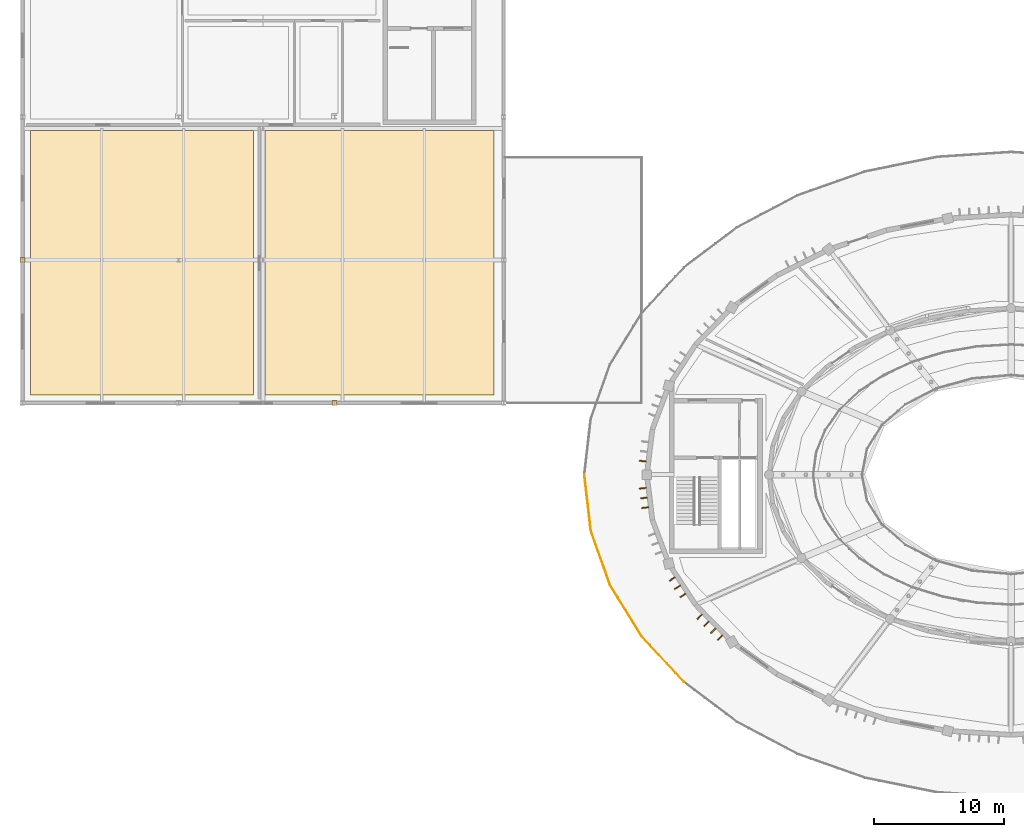
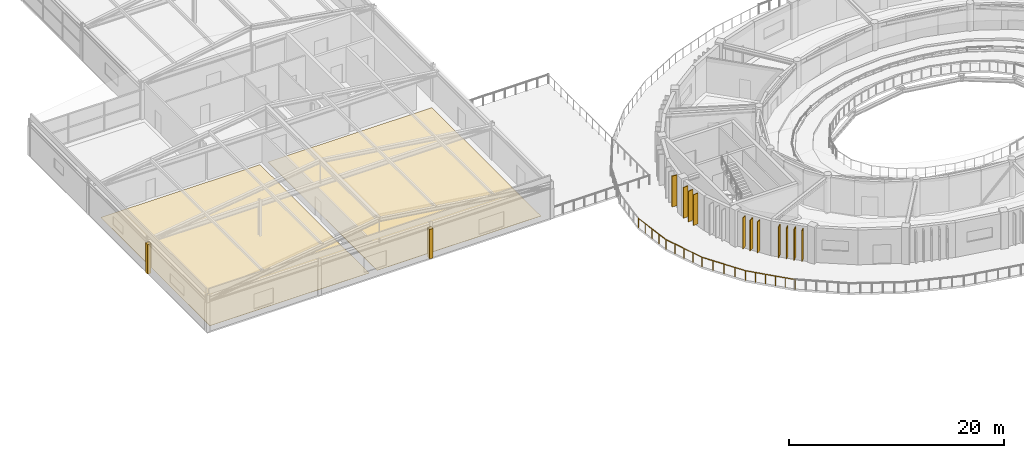
# One storey, part 54 of 63: 11 shading devices, 4 coverings, 4 railings.
"""IFC4 building model written with IfcOpenShell, lengths in metres."""

from ifc_helpers import new_model, si_unit, direction, frame, origin, origin_2d, place, context, subcontext, project, spatial, polyline, rectangle, circle, outline, extrude, material, layer, layer_set, type_object, element, save


model = new_model("IFC4")

# Units and contexts
model_context = context("Model", 3, precision=1e-05, world=origin(), true_north=direction((0.0, 1.0)))
body_context = subcontext(model_context, "Body", "Model", "MODEL_VIEW")
ifc_project = project(units=[si_unit("LENGTHUNIT", "METRE"), si_unit("AREAUNIT", "SQUARE_METRE"), si_unit("VOLUMEUNIT", "CUBIC_METRE"), si_unit("PLANEANGLEUNIT", "RADIAN"), si_unit("MASSUNIT", "GRAM", prefix="KILO")], contexts=[model_context])

# Site, building, storey
site_placement = place(None, origin())
site = spatial("IfcSite", under=ifc_project, at=site_placement, CompositionType="ELEMENT")
building_placement = place(site_placement, origin())
building = spatial("IfcBuilding", under=site, at=building_placement, Name="Tarnveldt Headland Concert Hall", CompositionType="ELEMENT")
storey_placement = place(building_placement, frame((0.0, 0.0, 14.39990234375)))
storey = spatial("IfcBuildingStorey", under=building, at=storey_placement, Name="L03", CompositionType="ELEMENT", Elevation=14.39990234375)

# Coverings
ifc_material_1 = material(Name="Treated East African mvule hardwood", Category="wood")
ifc_layer_1 = layer(ifc_material_1, 0.028076171875, Name="Treated East African mvule hardwood", Category="wood")
ifc_layer_set_1 = layer_set([ifc_layer_1], Name="Treated East African mvule hardwood")
covering_type_1 = type_object("IfcCoveringType", Name="CV-FLOR28", PredefinedType="FLOORING", material=ifc_layer_set_1)
covering_1_placement = place(storey_placement, origin())
element("IfcCovering", 1, at=covering_1_placement, inside=storey, type_object=covering_type_1, Name="Architectural flooring L03-12-100", PredefinedType="FLOORING", context=body_context, shape_type="SweptSolid", body=[
    extrude(outline(polyline([(25.27001953125, 80.969970703125), (25.27001953125, 60.6298828125), (8.1298828125, 60.6298828125), (8.1298828125, 80.969970703125), (25.27001953125, 80.969970703125)])), origin(), (0.0, 0.0, 1.0), 0.028076171875),
])
ifc_material_2 = material(Name="Polished coral-aggregate cementitious terrazzo flooring", Category="concrete")
ifc_layer_2 = layer(ifc_material_2, 0.034912109375, Name="Polished coral-aggregate cementitious terrazzo flooring", Category="concrete")
ifc_layer_set_2 = layer_set([ifc_layer_2], Name="Polished coral-aggregate cementitious terrazzo flooring")
covering_type_2 = type_object("IfcCoveringType", Name="CV-FLOR35", PredefinedType="FLOORING", material=ifc_layer_set_2)
covering_2_placement = place(storey_placement, origin())
element("IfcCovering", 2, at=covering_2_placement, inside=storey, type_object=covering_type_2, Name="Architectural flooring L03-13-101", PredefinedType="FLOORING", context=body_context, shape_type="SweptSolid", body=[
    extrude(outline(polyline([(26.1298828125, 80.969970703125), (43.77001953125, 80.969970703125), (43.77001953125, 60.6298828125), (26.1298828125, 60.6298828125), (26.1298828125, 80.969970703125)])), origin(), (0.0, 0.0, 1.0), 0.03515625),
])
ifc_material_3 = material(Name="Coral-toned precast concrete C40/50", Category="concrete")
ifc_layer_3 = layer(ifc_material_3, 0.360107421875, Name="Coral-toned precast concrete C40/50", Category="concrete")
ifc_layer_set_3 = layer_set([ifc_layer_3], Name="Coral-toned precast concrete C40/50")
covering_type_3 = type_object("IfcCoveringType", Name="CV-JNT360", PredefinedType="CLADDING", material=ifc_layer_set_3)
for number, where, z_axis, x_axis, name in (
    (3, (7.5, 71.0, 0.0), (0.0, 0.0, 1.0), (0.0, 1.0, 0.0), "Precast facade joint closure pilaster L03-302"),
    (4, (31.5, 60.0, 0.0), (0.0, 0.0, 1.0), (-1.0, 0.0, 0.0), "Precast facade joint closure pilaster L03-309"),
):
    element("IfcCovering", number, at=place(storey_placement, frame(where, z_axis=z_axis, x_axis=x_axis)), inside=storey, type_object=covering_type_3, Name=name, PredefinedType="CLADDING", context=body_context, shape_type="SweptSolid", body=[
        extrude(rectangle(XDim=0.3798828125, YDim=0.3798828125, at=origin_2d()), origin(), (0.0, 0.0, 1.0), 3.35009765625),
    ])

# Railings
ifc_material_4 = material(Name="Marine stainless steel", Category="steel")
ifc_layer_4 = layer(ifc_material_4, 0.074951171875, Name="Marine stainless steel", Category="steel")
ifc_layer_set_4 = layer_set([ifc_layer_4], Name="Marine stainless steel")
railing_type = type_object("IfcRailingType", Name="RL-BAL110", PredefinedType="BALUSTRADE", material=ifc_layer_set_4)
railing_1_placement = place(storey_placement, frame((50.699951171875, 54.5, 0.0)))
element("IfcRailing", 5, at=railing_1_placement, inside=storey, type_object=railing_type, Name="GUARD Drum lookout terrace balustrade 19", PredefinedType="BALUSTRADE", context=body_context, shape_type="SweptSolid", body=[
    extrude(circle(Radius=0.02392578125, at=origin_2d()), frame((0.0, 0.0, 1.076171875), z_axis=(0.11494260035, -0.993372135015, 0.0), x_axis=(0.993372135015, 0.11494260035, 0.0)), (0.0, 0.0, 1.0), 4.335205078125),
    extrude(circle(Radius=0.02099609375, at=origin_2d()), origin(), (0.0, 0.0, 1.0), 1.052001953125),
    extrude(circle(Radius=0.02099609375, at=origin_2d()), frame((0.12451171875, -1.07666015625, 0.0)), (0.0, 0.0, 1.0), 1.052001953125),
    extrude(circle(Radius=0.02099609375, at=origin_2d()), frame((0.2490234375, -2.1533203125, 0.0)), (0.0, 0.0, 1.0), 1.052001953125),
    extrude(circle(Radius=0.02099609375, at=origin_2d()), frame((0.373779296875, -3.229736328125, 0.0)), (0.0, 0.0, 1.0), 1.052001953125),
    extrude(circle(Radius=0.02099609375, at=origin_2d()), frame((0.498291015625, -4.306396484375, 0.0)), (0.0, 0.0, 1.0), 1.052001953125),
])
railing_2_placement = place(storey_placement, frame((51.1982421875, 50.193603515625, 0.0)))
element("IfcRailing", 6, at=railing_2_placement, inside=storey, type_object=railing_type, Name="GUARD Drum lookout terrace balustrade 20", PredefinedType="BALUSTRADE", context=body_context, shape_type="SweptSolid", body=[
    extrude(circle(Radius=0.02392578125, at=origin_2d()), frame((0.0, 0.0, 1.076171875), z_axis=(0.334010357608, -0.942569403816, 0.0), x_axis=(0.942569403816, 0.334010357608, 0.0)), (0.0, 0.0, 1.0), 4.43017578125),
    extrude(circle(Radius=0.02099609375, at=origin_2d()), origin(), (0.0, 0.0, 1.0), 1.052001953125),
    extrude(circle(Radius=0.02099609375, at=origin_2d()), frame((0.369873046875, -1.0439453125, 0.0)), (0.0, 0.0, 1.0), 1.052001953125),
    extrude(circle(Radius=0.02099609375, at=origin_2d()), frame((0.73974609375, -2.087890625, 0.0)), (0.0, 0.0, 1.0), 1.052001953125),
    extrude(circle(Radius=0.02099609375, at=origin_2d()), frame((1.10986328125, -3.1318359375, 0.0)), (0.0, 0.0, 1.0), 1.052001953125),
    extrude(circle(Radius=0.02099609375, at=origin_2d()), frame((1.479736328125, -4.17578125, 0.0)), (0.0, 0.0, 1.0), 1.052001953125),
])
railing_3_placement = place(storey_placement, frame((52.677978515625, 46.017822265625, 0.0)))
element("IfcRailing", 7, at=railing_3_placement, inside=storey, type_object=railing_type, Name="GUARD Drum lookout terrace balustrade 21", PredefinedType="BALUSTRADE", context=body_context, shape_type="SweptSolid", body=[
    extrude(circle(Radius=0.02392578125, at=origin_2d()), frame((0.0, 0.0, 1.076171875), z_axis=(0.524979001727, -0.851115178895, 0.0), x_axis=(0.851115178895, 0.524979001727, 0.0)), (0.0, 0.0, 1.0), 4.60302734375),
    extrude(circle(Radius=0.02099609375, at=origin_2d()), origin(), (0.0, 0.0, 1.0), 1.052001953125),
    extrude(circle(Radius=0.02099609375, at=origin_2d()), frame((0.60400390625, -0.9794921875, 0.0)), (0.0, 0.0, 1.0), 1.052001953125),
    extrude(circle(Radius=0.02099609375, at=origin_2d()), frame((1.208251953125, -1.958984375, 0.0)), (0.0, 0.0, 1.0), 1.052001953125),
    extrude(circle(Radius=0.02099609375, at=origin_2d()), frame((1.8125, -2.938232421875, 0.0)), (0.0, 0.0, 1.0), 1.052001953125),
    extrude(circle(Radius=0.02099609375, at=origin_2d()), frame((2.41650390625, -3.917724609375, 0.0)), (0.0, 0.0, 1.0), 1.052001953125),
])
railing_4_placement = place(storey_placement, frame((55.094482421875, 42.10009765625, 0.0)))
element("IfcRailing", 8, at=railing_4_placement, inside=storey, type_object=railing_type, Name="GUARD Drum lookout terrace balustrade 22", PredefinedType="BALUSTRADE", context=body_context, shape_type="SweptSolid", body=[
    extrude(circle(Radius=0.02392578125, at=origin_2d()), frame((0.0, 0.0, 1.076171875), z_axis=(0.67944736966, -0.733724247835, 0.0), x_axis=(0.733724247835, 0.67944736966, 0.0)), (0.0, 0.0, 1.0), 4.826416015625),
    extrude(circle(Radius=0.02099609375, at=origin_2d()), origin(), (0.0, 0.0, 1.0), 1.052001953125),
    extrude(circle(Radius=0.02099609375, at=origin_2d()), frame((0.65576171875, -0.708251953125, 0.0)), (0.0, 0.0, 1.0), 1.052001953125),
    extrude(circle(Radius=0.02099609375, at=origin_2d()), frame((1.311767578125, -1.41650390625, 0.0)), (0.0, 0.0, 1.0), 1.052001953125),
    extrude(circle(Radius=0.02099609375, at=origin_2d()), frame((1.967529296875, -2.124755859375, 0.0)), (0.0, 0.0, 1.0), 1.052001953125),
    extrude(circle(Radius=0.02099609375, at=origin_2d()), frame((2.62353515625, -2.8330078125, 0.0)), (0.0, 0.0, 1.0), 1.052001953125),
    extrude(circle(Radius=0.02099609375, at=origin_2d()), frame((3.279296875, -3.541259765625, 0.0)), (0.0, 0.0, 1.0), 1.052001953125),
])

# Shading devices
ifc_material_5 = material(Name="Terracotta-anodised aluminium EN AW-6063-T6", Category="masonry")
shading_device_type = type_object("IfcShadingDeviceType", Name="SD-FIN520", PredefinedType="USERDEFINED", material=ifc_material_5)
for number, where, z_axis, x_axis, name in (
    (9, (55.194580078125, 55.544189453125, 0.25), (0.0, 0.0, 1.0), (-0.992588631597, 0.121522872021, 0.0), "Drum terracotta acoustic solar fin L03-45"),
    (10, (55.194580078125, 53.455810546875, 0.25), (0.0, 0.0, 1.0), (-0.992588631597, -0.121522872021, 0.0), "Drum terracotta acoustic solar fin L03-46"),
    (11, (55.285888671875, 52.711181640625, 0.25), (0.0, 0.0, 1.0), (-0.992588631597, -0.121522872021, 0.0), "Drum terracotta acoustic solar fin L03-47"),
    (12, (55.377197265625, 51.966796875, 0.25), (0.0, 0.0, 1.0), (-0.992588631597, -0.121522872021, 0.0), "Drum terracotta acoustic solar fin L03-48"),
    (13, (57.449951171875, 46.472900390625, 0.25), (0.0, 0.0, 1.0), (-0.837337261414, -0.546686665878, 0.0), "Drum terracotta acoustic solar fin L03-52"),
    (14, (57.85986328125, 45.8447265625, 0.25), (0.0, 0.0, 1.0), (-0.837337261414, -0.546686665878, 0.0), "Drum terracotta acoustic solar fin L03-53"),
    (15, (58.27001953125, 45.216796875, 0.25), (0.0, 0.0, 1.0), (-0.837337261414, -0.546686665878, 0.0), "Drum terracotta acoustic solar fin L03-54"),
    (16, (59.556396484375, 43.574462890625, 0.25), (0.0, 0.0, 1.0), (-0.714106238843, -0.700037341608, 0.0), "Drum terracotta acoustic solar fin L03-55"),
    (17, (60.08154296875, 43.038818359375, 0.25), (0.0, 0.0, 1.0), (-0.714106238843, -0.700037341608, 0.0), "Drum terracotta acoustic solar fin L03-56"),
    (18, (60.6064453125, 42.50341796875, 0.25), (0.0, 0.0, 1.0), (-0.714106238843, -0.700037341608, 0.0), "Drum terracotta acoustic solar fin L03-57"),
    (19, (61.131591796875, 41.9677734375, 0.25), (0.0, 0.0, 1.0), (-0.714106238843, -0.700037341608, 0.0), "Drum terracotta acoustic solar fin L03-58"),
):
    element("IfcShadingDevice", number, at=place(storey_placement, frame(where, z_axis=z_axis, x_axis=x_axis)), inside=storey, type_object=shading_device_type, Name=name, ObjectType="FIN", PredefinedType="USERDEFINED", context=body_context, shape_type="SweptSolid", body=[
        extrude(rectangle(XDim=0.52001953125, YDim=0.080078125, at=origin_2d()), origin(), (0.0, 0.0, 1.0), 3.5),
    ])

save(model, "model.ifc")
